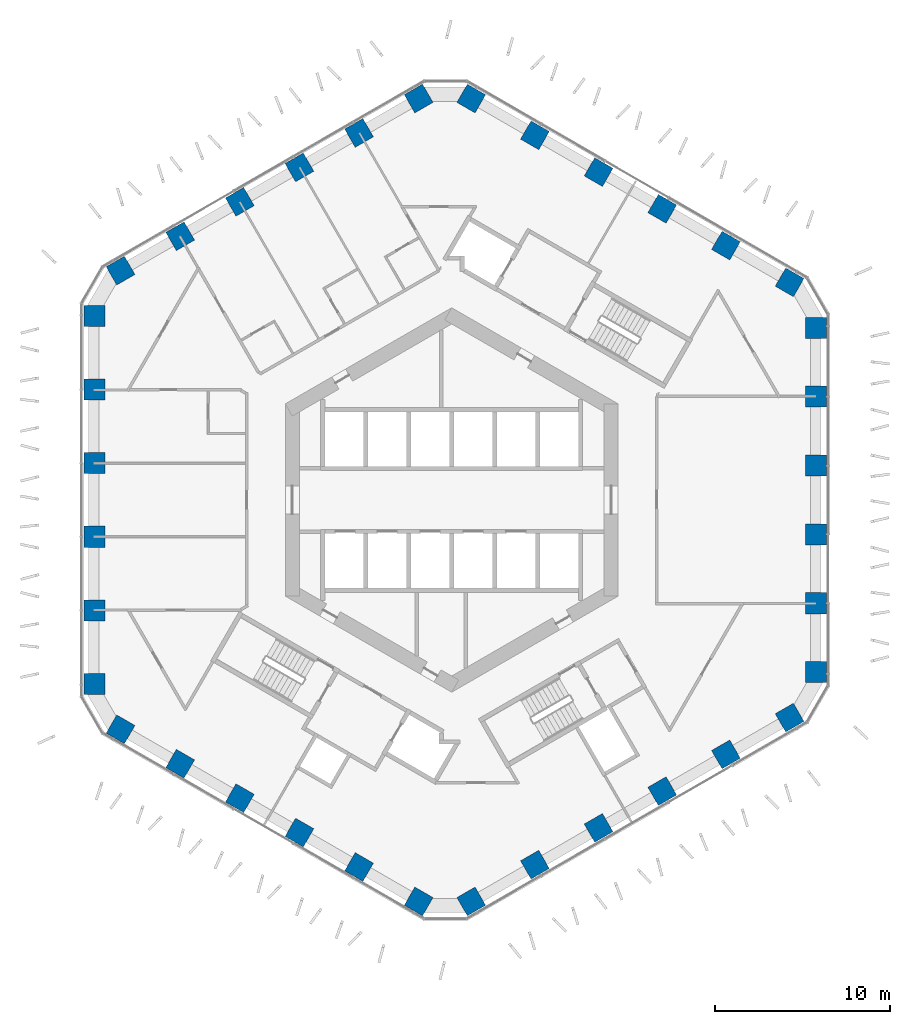
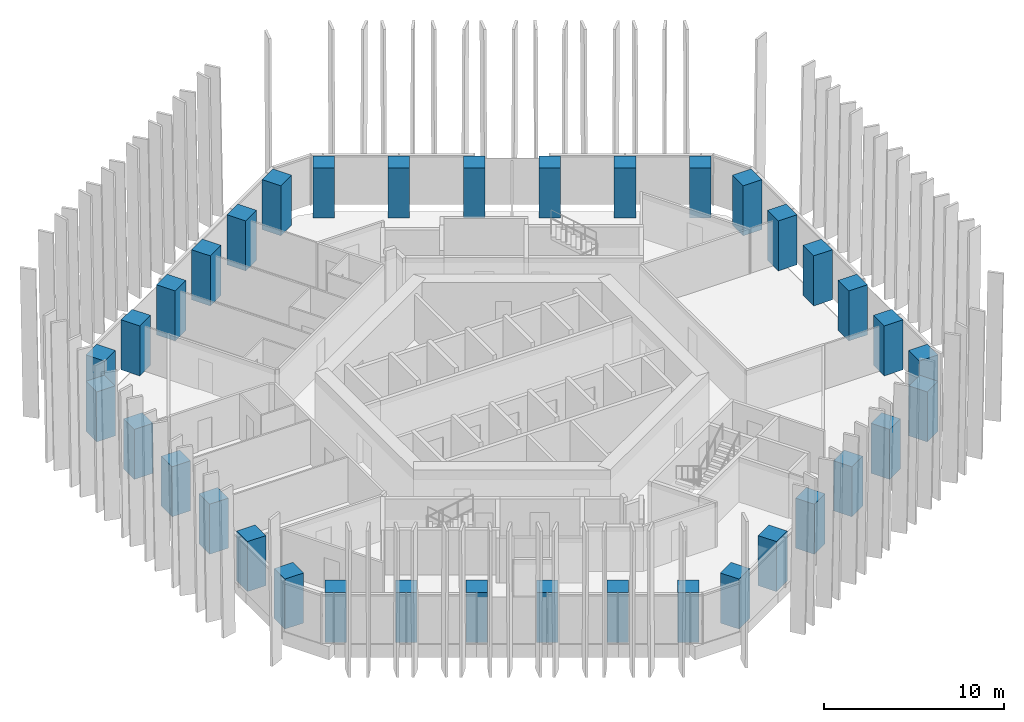
# One storey, part 1 of 19: 36 columns.
"""IFC4 building model written with IfcOpenShell, lengths in metres."""

from ifc_helpers import new_model, si_unit, direction, frame, origin, origin_2d, place, context, subcontext, project, spatial, rectangle, extrude, material, material_profile, profile_set, type_object, element, save


model = new_model("IFC4")

# Units and contexts
model_context = context("Model", 3, precision=1e-05, world=origin(), true_north=direction((0.0, 1.0)))
body_context = subcontext(model_context, "Body", "Model", "MODEL_VIEW")
ifc_project = project(units=[si_unit("LENGTHUNIT", "METRE"), si_unit("AREAUNIT", "SQUARE_METRE"), si_unit("VOLUMEUNIT", "CUBIC_METRE"), si_unit("PLANEANGLEUNIT", "RADIAN"), si_unit("MASSUNIT", "GRAM", prefix="KILO")], contexts=[model_context])

# Site, building, storey
site_placement = place(None, origin())
site = spatial("IfcSite", under=ifc_project, at=site_placement, CompositionType="ELEMENT")
building_placement = place(site_placement, origin())
building = spatial("IfcBuilding", under=site, at=building_placement, Name="Ayvan Gate Tower", CompositionType="ELEMENT")
storey_placement = place(building_placement, frame((0.0, 0.0, 45.89990234375)))
storey = spatial("IfcBuildingStorey", under=building, at=storey_placement, Name="L11", CompositionType="ELEMENT", Elevation=45.89990234375)

# Columns
ifc_material = material(Name="Concrete C70/85", Category="concrete")
ifc_material_profile = material_profile(ifc_material, rectangle(XDim=1.199951171875, YDim=1.199951171875, at=origin_2d()), Name="RC 1200x1200")
ifc_profile_set = profile_set([ifc_material_profile], Name="Concrete C70/85")
column_type = type_object("IfcColumnType", Name="Tube column RC 1200x1200 C70/85", PredefinedType="COLUMN", material=ifc_profile_set)
for number, where, z_axis, x_axis, name in (
    (1, (20.78466796875, -9.822509765625, 0.0), (0.0, 0.0, 1.0), (1.0, 0.0, 0.0), "C-T0-0-L11"),
    (2, (20.78466796875, -5.8935546875, 0.0), (0.0, 0.0, 1.0), (1.0, 0.0, 0.0), "C-T0-1-L11"),
    (3, (20.78466796875, -1.964599609375, 0.0), (0.0, 0.0, 1.0), (1.0, 0.0, 0.0), "C-T0-2-L11"),
    (4, (20.78466796875, 1.964599609375, 0.0), (0.0, 0.0, 1.0), (1.0, 0.0, 0.0), "C-T0-3-L11"),
    (5, (20.78466796875, 5.8935546875, 0.0), (0.0, 0.0, 1.0), (1.0, 0.0, 0.0), "C-T0-4-L11"),
    (6, (20.78466796875, 9.822509765625, 0.0), (0.0, 0.0, 1.0), (1.0, 0.0, 0.0), "C-T0-5-L11"),
    (7, (19.28466796875, 12.420654296875, 0.0), (0.0, 0.0, 1.0), (0.5, 0.866025403784, 0.0), "C-T1-0-L11"),
    (8, (15.650634765625, 14.518798828125, 0.0), (0.0, 0.0, 1.0), (0.5, 0.866025403784, 0.0), "C-T1-1-L11"),
    (9, (12.016357421875, 16.616943359375, 0.0), (0.0, 0.0, 1.0), (0.5, 0.866025403784, 0.0), "C-T1-2-L11"),
    (10, (8.38232421875, 18.715087890625, 0.0), (0.0, 0.0, 1.0), (0.5, 0.866025403784, 0.0), "C-T1-3-L11"),
    (11, (4.748291015625, 20.813232421875, 0.0), (0.0, 0.0, 1.0), (0.5, 0.866025403784, 0.0), "C-T1-4-L11"),
    (12, (1.1142578125, 22.911376953125, 0.0), (0.0, 0.0, 1.0), (0.5, 0.866025403784, 0.0), "C-T1-5-L11"),
    (13, (-1.8857421875, 22.911376953125, 0.0), (0.0, 0.0, 1.0), (-0.5, 0.866025403784, 0.0), "C-T2-0-L11"),
    (14, (-5.288330078125, 20.94677734375, 0.0), (0.0, 0.0, 1.0), (-0.5, 0.866025403784, 0.0), "C-T2-1-L11"),
    (15, (-8.69091796875, 18.982177734375, 0.0), (0.0, 0.0, 1.0), (-0.5, 0.866025403784, 0.0), "C-T2-2-L11"),
    (16, (-12.093505859375, 17.017822265625, 0.0), (0.0, 0.0, 1.0), (-0.5, 0.866025403784, 0.0), "C-T2-3-L11"),
    (17, (-15.496337890625, 15.05322265625, 0.0), (0.0, 0.0, 1.0), (-0.5, 0.866025403784, 0.0), "C-T2-4-L11"),
    (18, (-18.89892578125, 13.088623046875, 0.0), (0.0, 0.0, 1.0), (-0.5, 0.866025403784, 0.0), "C-T2-5-L11"),
    (19, (-20.39892578125, 10.49072265625, 0.0), (0.0, 0.0, 1.0), (-1.0, 0.0, 0.0), "C-T3-0-L11"),
    (20, (-20.39892578125, 6.29443359375, 0.0), (0.0, 0.0, 1.0), (-1.0, 0.0, 0.0), "C-T3-1-L11"),
    (21, (-20.39892578125, 2.09814453125, 0.0), (0.0, 0.0, 1.0), (-1.0, 0.0, 0.0), "C-T3-2-L11"),
    (22, (-20.39892578125, -2.09814453125, 0.0), (0.0, 0.0, 1.0), (-1.0, 0.0, 0.0), "C-T3-3-L11"),
    (23, (-20.39892578125, -6.29443359375, 0.0), (0.0, 0.0, 1.0), (-1.0, 0.0, 0.0), "C-T3-4-L11"),
    (24, (-20.39892578125, -10.49072265625, 0.0), (0.0, 0.0, 1.0), (-1.0, 0.0, 0.0), "C-T3-5-L11"),
    (25, (-18.89892578125, -13.088623046875, 0.0), (0.0, 0.0, 1.0), (-0.5, -0.866025403784, 0.0), "C-T4-0-L11"),
    (26, (-15.496337890625, -15.05322265625, 0.0), (0.0, 0.0, 1.0), (-0.5, -0.866025403784, 0.0), "C-T4-1-L11"),
    (27, (-12.093505859375, -17.017822265625, 0.0), (0.0, 0.0, 1.0), (-0.5, -0.866025403784, 0.0), "C-T4-2-L11"),
    (28, (-8.69091796875, -18.982177734375, 0.0), (0.0, 0.0, 1.0), (-0.5, -0.866025403784, 0.0), "C-T4-3-L11"),
    (29, (-5.288330078125, -20.94677734375, 0.0), (0.0, 0.0, 1.0), (-0.5, -0.866025403784, 0.0), "C-T4-4-L11"),
    (30, (-1.8857421875, -22.911376953125, 0.0), (0.0, 0.0, 1.0), (-0.5, -0.866025403784, 0.0), "C-T4-5-L11"),
    (31, (1.1142578125, -22.911376953125, 0.0), (0.0, 0.0, 1.0), (0.5, -0.866025403784, 0.0), "C-T5-0-L11"),
    (32, (4.748291015625, -20.813232421875, 0.0), (0.0, 0.0, 1.0), (0.5, -0.866025403784, 0.0), "C-T5-1-L11"),
    (33, (8.38232421875, -18.715087890625, 0.0), (0.0, 0.0, 1.0), (0.5, -0.866025403784, 0.0), "C-T5-2-L11"),
    (34, (12.016357421875, -16.616943359375, 0.0), (0.0, 0.0, 1.0), (0.5, -0.866025403784, 0.0), "C-T5-3-L11"),
    (35, (15.650634765625, -14.518798828125, 0.0), (0.0, 0.0, 1.0), (0.5, -0.866025403784, 0.0), "C-T5-4-L11"),
    (36, (19.28466796875, -12.420654296875, 0.0), (0.0, 0.0, 1.0), (0.5, -0.866025403784, 0.0), "C-T5-5-L11"),
):
    element("IfcColumn", number, at=place(storey_placement, frame(where, z_axis=z_axis, x_axis=x_axis)), inside=storey, type_object=column_type, Name=name, PredefinedType="COLUMN", context=body_context, shape_type="SweptSolid", body=[
        extrude(rectangle(XDim=1.199951171875, YDim=1.199951171875, at=origin_2d()), origin(), (0.0, 0.0, 1.0), 3.400146484375),
    ])

save(model, "model.ifc")
